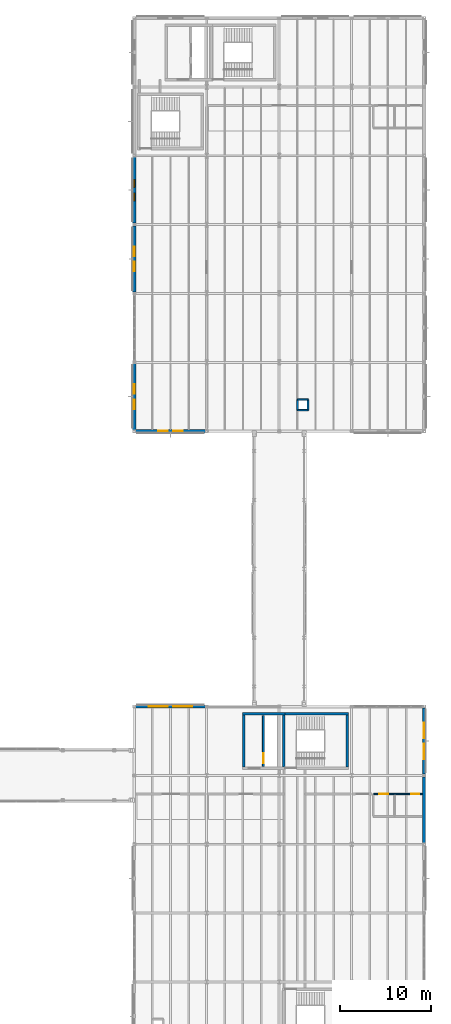
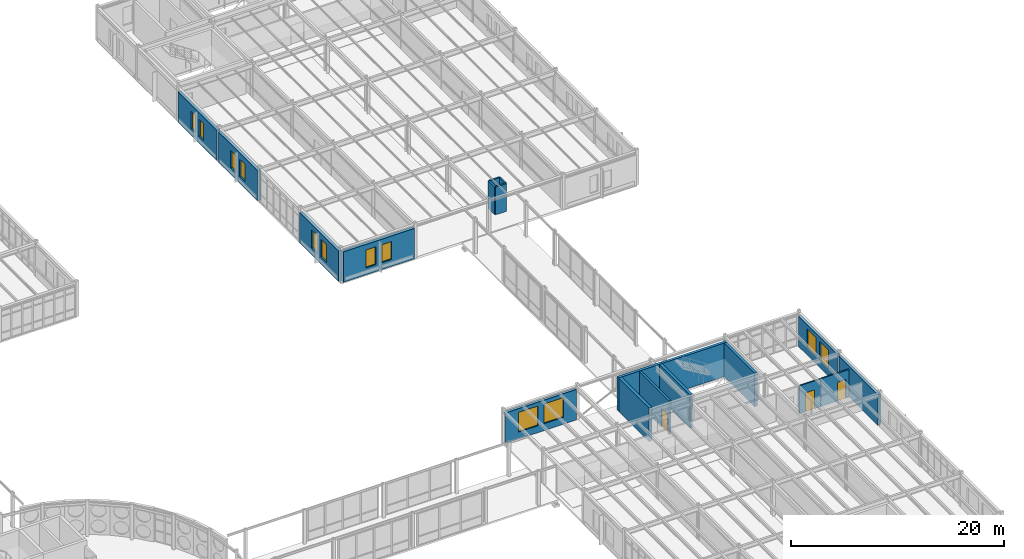
# One storey, part 142 of 165: 19 walls, 12 windows, 3 doors, 15 openings.
"""IFC4 building model written with IfcOpenShell, lengths in metres."""

from ifc_helpers import new_model, si_unit, direction, frame, frame_2d, origin, place, context, subcontext, project, spatial, rectangle, extrude, material, layer, layer_set, type_object, element, fill, save


model = new_model("IFC4")

# Units and contexts
model_context = context("Model", 3, precision=1e-05, world=origin(), true_north=direction((0.0, 1.0)))
body_context = subcontext(model_context, "Body", "Model", "MODEL_VIEW")
ifc_project = project(units=[si_unit("LENGTHUNIT", "METRE"), si_unit("AREAUNIT", "SQUARE_METRE"), si_unit("VOLUMEUNIT", "CUBIC_METRE"), si_unit("PLANEANGLEUNIT", "RADIAN"), si_unit("MASSUNIT", "GRAM", prefix="KILO")], contexts=[model_context])

# Site, building, storey
site_placement = place(None, origin())
site = spatial("IfcSite", under=ifc_project, at=site_placement, CompositionType="ELEMENT")
building_placement = place(site_placement, origin())
building = spatial("IfcBuilding", under=site, at=building_placement, Name="Montecoro Central Library", CompositionType="ELEMENT")
storey_placement = place(building_placement, frame((0.0, 0.0, 5.10009765625)))
storey = spatial("IfcBuildingStorey", under=building, at=storey_placement, Name="L01", CompositionType="ELEMENT", Elevation=5.10009765625)

# Wall, openings, windows
ifc_material_1 = material(Name="Roman travertine stone clad concrete C35/45", Category="masonry")
ifc_layer_1 = layer(ifc_material_1, 0.364990234375)
ifc_layer_set_1 = layer_set([ifc_layer_1], Name="Roman travertine stone clad concrete C35/45")
wall_type_1 = type_object("IfcWallType", Name="EW-STK-365", PredefinedType="SOLIDWALL", material=ifc_layer_set_1)
wall_1_placement = place(storey_placement, frame((141.153076171875, 73.39990234375, 0.0), z_axis=(0.0, 0.0, 1.0), x_axis=(1.0, 0.0, 0.0)))
wall_1 = element("IfcWall", 1, at=wall_1_placement, inside=storey, type_object=wall_type_1, Name="V5-L01-EW-S0", PredefinedType="SOLIDWALL", context=body_context, shape_type="SweptSolid", body=[
    extrude(rectangle(XDim=7.69384765625, YDim=0.364990234375, at=frame_2d((3.846923828125, 0.0))), origin(), (0.0, 0.0, 1.0), 3.47998046875),
])
opening_1_placement = place(wall_1_placement, frame((2.471923828125, 0.0, 0.800048828125)))
opening_1 = element("IfcOpeningElement", 2, at=opening_1_placement, cuts=wall_1, Name="Opening WN-03", PredefinedType="OPENING", context=body_context, shape_type="SweptSolid", body=[
    extrude(rectangle(XDim=1.050048828125, YDim=2.050048828125, at=frame_2d((0.52490234375, 1.02490234375))), frame((0.0, 0.1923828125, 0.0), z_axis=(0.0, -1.0, 0.0), x_axis=(1.0, 0.0, 0.0)), (0.0, 0.0, 1.0), 0.385009765625),
])
opening_2_placement = place(wall_1_placement, frame((4.172119140625, 0.0, 0.800048828125)))
opening_2 = element("IfcOpeningElement", 3, at=opening_2_placement, cuts=wall_1, Name="Opening WN-03", PredefinedType="OPENING", context=body_context, shape_type="SweptSolid", body=[
    extrude(rectangle(XDim=1.050048828125, YDim=2.050048828125, at=frame_2d((0.52490234375, 1.02490234375))), frame((0.0, 0.1923828125, 0.0), z_axis=(0.0, -1.0, 0.0), x_axis=(1.0, 0.0, 0.0)), (0.0, 0.0, 1.0), 0.385009765625),
])
ifc_material_2 = material(Name="UV-filtered triple glazing", Category="glass")
window_type_1 = type_object("IfcWindowType", Name="WN-STK-105", PartitioningType="SINGLE_PANEL", PredefinedType="WINDOW", material=ifc_material_2)
window_1_placement = place(opening_1_placement, origin())
window_1 = element("IfcWindow", 4, at=window_1_placement, inside=storey, type_object=window_type_1, Name="V5-L01-WN-S0-1", OverallHeight=2.050048828125, OverallWidth=1.050048828125, PartitioningType="SINGLE_PANEL", PredefinedType="WINDOW", context=body_context, shape_type="SweptSolid", body=[
    extrude(rectangle(XDim=1.050048828125, YDim=2.050048828125, at=frame_2d((0.52490234375, 1.02490234375))), frame((0.0, 0.030029296875, 0.0), z_axis=(0.0, -1.0, 0.0), x_axis=(1.0, 0.0, 0.0)), (0.0, 0.0, 1.0), 0.06005859375),
])
fill(opening_1, window_1)
window_2_placement = place(opening_2_placement, origin())
window_2 = element("IfcWindow", 5, at=window_2_placement, inside=storey, type_object=window_type_1, Name="V5-L01-WN-S0-2", OverallHeight=2.050048828125, OverallWidth=1.050048828125, PartitioningType="SINGLE_PANEL", PredefinedType="WINDOW", context=body_context, shape_type="SweptSolid", body=[
    extrude(rectangle(XDim=1.050048828125, YDim=2.050048828125, at=frame_2d((0.52490234375, 1.02490234375))), frame((0.0, 0.030029296875, 0.0), z_axis=(0.0, -1.0, 0.0), x_axis=(1.0, 0.0, 0.0)), (0.0, 0.0, 1.0), 0.06005859375),
])
fill(opening_2, window_2)

wall_2_placement = place(storey_placement, frame((141.0, 103.64697265625, 0.0), z_axis=(0.0, 0.0, 1.0), x_axis=(0.0, -1.0, 0.0)))
wall_2 = element("IfcWall", 6, at=wall_2_placement, inside=storey, type_object=wall_type_1, Name="V5-L01-EW-W3", PredefinedType="SOLIDWALL", context=body_context, shape_type="SweptSolid", body=[
    extrude(rectangle(XDim=7.2939453125, YDim=0.364990234375, at=frame_2d((3.64697265625, 0.0))), origin(), (0.0, 0.0, 1.0), 3.47998046875),
])
opening_3_placement = place(wall_2_placement, frame((2.471923828125, 0.0, 0.800048828125)))
opening_3 = element("IfcOpeningElement", 7, at=opening_3_placement, cuts=wall_2, Name="Opening WN-01", PredefinedType="OPENING", context=body_context, shape_type="SweptSolid", body=[
    extrude(rectangle(XDim=0.85009765625, YDim=1.949951171875, at=frame_2d((0.425048828125, 0.97509765625))), frame((0.0, 0.1923828125, 0.0), z_axis=(0.0, -1.0, 0.0), x_axis=(1.0, 0.0, 0.0)), (0.0, 0.0, 1.0), 0.385009765625),
])
opening_4_placement = place(wall_2_placement, frame((3.971923828125, 0.0, 0.800048828125)))
opening_4 = element("IfcOpeningElement", 8, at=opening_4_placement, cuts=wall_2, Name="Opening WN-01", PredefinedType="OPENING", context=body_context, shape_type="SweptSolid", body=[
    extrude(rectangle(XDim=0.85009765625, YDim=1.949951171875, at=frame_2d((0.425048828125, 0.97509765625))), frame((0.0, 0.1923828125, 0.0), z_axis=(0.0, -1.0, 0.0), x_axis=(1.0, 0.0, 0.0)), (0.0, 0.0, 1.0), 0.385009765625),
])
window_type_2 = type_object("IfcWindowType", Name="WN-STK-085", PartitioningType="SINGLE_PANEL", PredefinedType="WINDOW", material=ifc_material_2)
window_3_placement = place(opening_3_placement, origin())
window_3 = element("IfcWindow", 9, at=window_3_placement, inside=storey, type_object=window_type_2, Name="V5-L01-WN-W3-1", OverallHeight=1.949951171875, OverallWidth=0.85009765625, PartitioningType="SINGLE_PANEL", PredefinedType="WINDOW", context=body_context, shape_type="SweptSolid", body=[
    extrude(rectangle(XDim=0.85009765625, YDim=1.949951171875, at=frame_2d((0.425048828125, 0.97509765625))), frame((0.0, 0.030029296875, 0.0), z_axis=(0.0, -1.0, 0.0), x_axis=(1.0, 0.0, 0.0)), (0.0, 0.0, 1.0), 0.06005859375),
])
fill(opening_3, window_3)
window_4_placement = place(opening_4_placement, origin())
window_4 = element("IfcWindow", 10, at=window_4_placement, inside=storey, type_object=window_type_2, Name="V5-L01-WN-W3-2", OverallHeight=1.949951171875, OverallWidth=0.85009765625, PartitioningType="SINGLE_PANEL", PredefinedType="WINDOW", context=body_context, shape_type="SweptSolid", body=[
    extrude(rectangle(XDim=0.85009765625, YDim=1.949951171875, at=frame_2d((0.425048828125, 0.97509765625))), frame((0.0, 0.030029296875, 0.0), z_axis=(0.0, -1.0, 0.0), x_axis=(1.0, 0.0, 0.0)), (0.0, 0.0, 1.0), 0.06005859375),
])
fill(opening_4, window_4)

wall_3_placement = place(storey_placement, frame((141.0, 96.047119140625, 0.0), z_axis=(0.0, 0.0, 1.0), x_axis=(0.0, -1.0, 0.0)))
wall_3 = element("IfcWall", 11, at=wall_3_placement, inside=storey, type_object=wall_type_1, Name="V5-L01-EW-W2", PredefinedType="SOLIDWALL", context=body_context, shape_type="SweptSolid", body=[
    extrude(rectangle(XDim=7.294189453125, YDim=0.364990234375, at=frame_2d((3.64697265625, 0.0))), origin(), (0.0, 0.0, 1.0), 3.47998046875),
])
opening_5_placement = place(wall_3_placement, frame((2.302001953125, 0.0, 0.800048828125)))
opening_5 = element("IfcOpeningElement", 12, at=opening_5_placement, cuts=wall_3, Name="Opening WN-30", PredefinedType="OPENING", context=body_context, shape_type="SweptSolid", body=[
    extrude(rectangle(XDim=1.02001953125, YDim=1.97998046875, at=frame_2d((0.510009765625, 0.989990234375))), frame((0.0, 0.1923828125, 0.0), z_axis=(0.0, -1.0, 0.0), x_axis=(1.0, 0.0, 0.0)), (0.0, 0.0, 1.0), 0.385009765625),
])
opening_6_placement = place(wall_3_placement, frame((3.971923828125, 0.0, 0.800048828125)))
opening_6 = element("IfcOpeningElement", 13, at=opening_6_placement, cuts=wall_3, Name="Opening WN-30", PredefinedType="OPENING", context=body_context, shape_type="SweptSolid", body=[
    extrude(rectangle(XDim=1.02001953125, YDim=1.97998046875, at=frame_2d((0.510009765625, 0.989990234375))), frame((0.0, 0.1923828125, 0.0), z_axis=(0.0, -1.0, 0.0), x_axis=(1.0, 0.0, 0.0)), (0.0, 0.0, 1.0), 0.385009765625),
])
window_type_3 = type_object("IfcWindowType", Name="WN-STK-102", PartitioningType="SINGLE_PANEL", PredefinedType="WINDOW", material=ifc_material_2)
window_5_placement = place(opening_5_placement, origin())
window_5 = element("IfcWindow", 14, at=window_5_placement, inside=storey, type_object=window_type_3, Name="V5-L01-WN-W2-1", OverallHeight=1.97998046875, OverallWidth=1.02001953125, PartitioningType="SINGLE_PANEL", PredefinedType="WINDOW", context=body_context, shape_type="SweptSolid", body=[
    extrude(rectangle(XDim=1.02001953125, YDim=1.97998046875, at=frame_2d((0.510009765625, 0.989990234375))), frame((0.0, 0.030029296875, 0.0), z_axis=(0.0, -1.0, 0.0), x_axis=(1.0, 0.0, 0.0)), (0.0, 0.0, 1.0), 0.06005859375),
])
fill(opening_5, window_5)
window_6_placement = place(opening_6_placement, origin())
window_6 = element("IfcWindow", 15, at=window_6_placement, inside=storey, type_object=window_type_3, Name="V5-L01-WN-W2-2", OverallHeight=1.97998046875, OverallWidth=1.02001953125, PartitioningType="SINGLE_PANEL", PredefinedType="WINDOW", context=body_context, shape_type="SweptSolid", body=[
    extrude(rectangle(XDim=1.02001953125, YDim=1.97998046875, at=frame_2d((0.510009765625, 0.989990234375))), frame((0.0, 0.030029296875, 0.0), z_axis=(0.0, -1.0, 0.0), x_axis=(1.0, 0.0, 0.0)), (0.0, 0.0, 1.0), 0.06005859375),
])
fill(opening_6, window_6)

wall_4_placement = place(storey_placement, frame((141.0, 80.846923828125, 0.0), z_axis=(0.0, 0.0, 1.0), x_axis=(0.0, -1.0, 0.0)))
wall_4 = element("IfcWall", 16, at=wall_4_placement, inside=storey, type_object=wall_type_1, Name="V5-L01-EW-W0", PredefinedType="SOLIDWALL", context=body_context, shape_type="SweptSolid", body=[
    extrude(rectangle(XDim=7.2939453125, YDim=0.364990234375, at=frame_2d((3.64697265625, 0.0))), origin(), (0.0, 0.0, 1.0), 3.47998046875),
])
opening_7_placement = place(wall_4_placement, frame((2.27197265625, 0.0, 0.800048828125)))
opening_7 = element("IfcOpeningElement", 17, at=opening_7_placement, cuts=wall_4, Name="Opening WN-03", PredefinedType="OPENING", context=body_context, shape_type="SweptSolid", body=[
    extrude(rectangle(XDim=1.050048828125, YDim=2.050048828125, at=frame_2d((0.52490234375, 1.02490234375))), frame((0.0, 0.1923828125, 0.0), z_axis=(0.0, -1.0, 0.0), x_axis=(1.0, 0.0, 0.0)), (0.0, 0.0, 1.0), 0.385009765625),
])
opening_8_placement = place(wall_4_placement, frame((3.971923828125, 0.0, 0.800048828125)))
opening_8 = element("IfcOpeningElement", 18, at=opening_8_placement, cuts=wall_4, Name="Opening WN-03", PredefinedType="OPENING", context=body_context, shape_type="SweptSolid", body=[
    extrude(rectangle(XDim=1.050048828125, YDim=2.050048828125, at=frame_2d((0.52490234375, 1.02490234375))), frame((0.0, 0.1923828125, 0.0), z_axis=(0.0, -1.0, 0.0), x_axis=(1.0, 0.0, 0.0)), (0.0, 0.0, 1.0), 0.385009765625),
])
window_7_placement = place(opening_7_placement, origin())
window_7 = element("IfcWindow", 19, at=window_7_placement, inside=storey, type_object=window_type_1, Name="V5-L01-WN-W0-1", OverallHeight=2.050048828125, OverallWidth=1.050048828125, PartitioningType="SINGLE_PANEL", PredefinedType="WINDOW", context=body_context, shape_type="SweptSolid", body=[
    extrude(rectangle(XDim=1.050048828125, YDim=2.050048828125, at=frame_2d((0.52490234375, 1.02490234375))), frame((0.0, 0.030029296875, 0.0), z_axis=(0.0, -1.0, 0.0), x_axis=(1.0, 0.0, 0.0)), (0.0, 0.0, 1.0), 0.06005859375),
])
fill(opening_7, window_7)
window_8_placement = place(opening_8_placement, origin())
window_8 = element("IfcWindow", 20, at=window_8_placement, inside=storey, type_object=window_type_1, Name="V5-L01-WN-W0-2", OverallHeight=2.050048828125, OverallWidth=1.050048828125, PartitioningType="SINGLE_PANEL", PredefinedType="WINDOW", context=body_context, shape_type="SweptSolid", body=[
    extrude(rectangle(XDim=1.050048828125, YDim=2.050048828125, at=frame_2d((0.52490234375, 1.02490234375))), frame((0.0, 0.030029296875, 0.0), z_axis=(0.0, -1.0, 0.0), x_axis=(1.0, 0.0, 0.0)), (0.0, 0.0, 1.0), 0.06005859375),
])
fill(opening_8, window_8)

# Wall
ifc_layer_2 = layer(ifc_material_1, 0.31005859375)
ifc_layer_set_2 = layer_set([ifc_layer_2], Name="Roman travertine stone clad concrete C35/45")
wall_type_2 = type_object("IfcWallType", Name="EW-TRV-310", PredefinedType="SOLIDWALL", material=ifc_layer_set_2)
wall_5_placement = place(storey_placement, frame((173.0, 27.952880859375, 0.0), z_axis=(0.0, 0.0, 1.0), x_axis=(0.0, 1.0, 0.0)))
element("IfcWall", 21, at=wall_5_placement, inside=storey, type_object=wall_type_2, Name="V6-L01-EW-E3", PredefinedType="SOLIDWALL", context=body_context, shape_type="SweptSolid", body=[
    extrude(rectangle(XDim=7.294189453125, YDim=0.31005859375, at=frame_2d((3.64697265625, 0.0))), origin(), (0.0, 0.0, 1.0), 3.47998046875),
])

# Wall, openings, windows
wall_6_placement = place(storey_placement, frame((173.0, 35.552978515625, 0.0), z_axis=(0.0, 0.0, 1.0), x_axis=(0.0, 1.0, 0.0)))
wall_6 = element("IfcWall", 22, at=wall_6_placement, inside=storey, type_object=wall_type_2, Name="V6-L01-EW-E4", PredefinedType="SOLIDWALL", context=body_context, shape_type="SweptSolid", body=[
    extrude(rectangle(XDim=7.2939453125, YDim=0.31005859375, at=frame_2d((3.64697265625, 0.0))), origin(), (0.0, 0.0, 1.0), 3.47998046875),
])
opening_9_placement = place(wall_6_placement, frame((1.6220703125, 0.0, 0.800048828125)))
opening_9 = element("IfcOpeningElement", 23, at=opening_9_placement, cuts=wall_6, Name="Opening WN-17", PredefinedType="OPENING", context=body_context, shape_type="SweptSolid", body=[
    extrude(rectangle(XDim=1.699951171875, YDim=2.199951171875, at=frame_2d((0.85009765625, 1.10009765625))), frame((0.0, 0.1650390625, 0.0), z_axis=(0.0, -1.0, 0.0), x_axis=(1.0, 0.0, 0.0)), (0.0, 0.0, 1.0), 0.330078125),
])
opening_10_placement = place(wall_6_placement, frame((3.971923828125, 0.0, 0.800048828125)))
opening_10 = element("IfcOpeningElement", 24, at=opening_10_placement, cuts=wall_6, Name="Opening WN-17", PredefinedType="OPENING", context=body_context, shape_type="SweptSolid", body=[
    extrude(rectangle(XDim=1.699951171875, YDim=2.199951171875, at=frame_2d((0.85009765625, 1.10009765625))), frame((0.0, 0.1650390625, 0.0), z_axis=(0.0, -1.0, 0.0), x_axis=(1.0, 0.0, 0.0)), (0.0, 0.0, 1.0), 0.330078125),
])
ifc_material_3 = material(Name="Laminated low-E double glazing", Category="glass")
window_type_4 = type_object("IfcWindowType", Name="WN-COM-170", PartitioningType="SINGLE_PANEL", PredefinedType="WINDOW", material=ifc_material_3)
window_9_placement = place(opening_9_placement, origin())
window_9 = element("IfcWindow", 25, at=window_9_placement, inside=storey, type_object=window_type_4, Name="V6-L01-WN-E4-1", OverallHeight=2.199951171875, OverallWidth=1.699951171875, PartitioningType="SINGLE_PANEL", PredefinedType="WINDOW", context=body_context, shape_type="SweptSolid", body=[
    extrude(rectangle(XDim=1.699951171875, YDim=2.199951171875, at=frame_2d((0.85009765625, 1.10009765625))), frame((0.0, 0.030029296875, 0.0), z_axis=(0.0, -1.0, 0.0), x_axis=(1.0, 0.0, 0.0)), (0.0, 0.0, 1.0), 0.06005859375),
])
fill(opening_9, window_9)
window_10_placement = place(opening_10_placement, origin())
window_10 = element("IfcWindow", 26, at=window_10_placement, inside=storey, type_object=window_type_4, Name="V6-L01-WN-E4-2", OverallHeight=2.199951171875, OverallWidth=1.699951171875, PartitioningType="SINGLE_PANEL", PredefinedType="WINDOW", context=body_context, shape_type="SweptSolid", body=[
    extrude(rectangle(XDim=1.699951171875, YDim=2.199951171875, at=frame_2d((0.85009765625, 1.10009765625))), frame((0.0, 0.030029296875, 0.0), z_axis=(0.0, -1.0, 0.0), x_axis=(1.0, 0.0, 0.0)), (0.0, 0.0, 1.0), 0.06005859375),
])
fill(opening_10, window_10)

wall_7_placement = place(storey_placement, frame((148.846923828125, 43.0, 0.0), z_axis=(0.0, 0.0, 1.0), x_axis=(-1.0, 0.0, 0.0)))
wall_7 = element("IfcWall", 27, at=wall_7_placement, inside=storey, type_object=wall_type_2, Name="V6-L01-EW-N0", PredefinedType="SOLIDWALL", context=body_context, shape_type="SweptSolid", body=[
    extrude(rectangle(XDim=7.69384765625, YDim=0.31005859375, at=frame_2d((3.846923828125, 0.0))), origin(), (0.0, 0.0, 1.0), 3.47998046875),
])
opening_11_placement = place(wall_7_placement, frame((1.422119140625, 0.0, 0.800048828125)))
opening_11 = element("IfcOpeningElement", 28, at=opening_11_placement, cuts=wall_7, Name="Opening WN-19", PredefinedType="OPENING", context=body_context, shape_type="SweptSolid", body=[
    extrude(rectangle(XDim=2.10009765625, YDim=2.25, at=frame_2d((1.050048828125, 1.125))), frame((0.0, 0.1650390625, 0.0), z_axis=(0.0, -1.0, 0.0), x_axis=(1.0, 0.0, 0.0)), (0.0, 0.0, 1.0), 0.330078125),
])
opening_12_placement = place(wall_7_placement, frame((4.172119140625, 0.0, 0.800048828125)))
opening_12 = element("IfcOpeningElement", 29, at=opening_12_placement, cuts=wall_7, Name="Opening WN-19", PredefinedType="OPENING", context=body_context, shape_type="SweptSolid", body=[
    extrude(rectangle(XDim=2.10009765625, YDim=2.25, at=frame_2d((1.050048828125, 1.125))), frame((0.0, 0.1650390625, 0.0), z_axis=(0.0, -1.0, 0.0), x_axis=(1.0, 0.0, 0.0)), (0.0, 0.0, 1.0), 0.330078125),
])
window_type_5 = type_object("IfcWindowType", Name="WN-COM-210", PartitioningType="SINGLE_PANEL", PredefinedType="WINDOW", material=ifc_material_3)
window_11_placement = place(opening_11_placement, origin())
window_11 = element("IfcWindow", 30, at=window_11_placement, inside=storey, type_object=window_type_5, Name="V6-L01-WN-N0-1", OverallHeight=2.25, OverallWidth=2.10009765625, PartitioningType="SINGLE_PANEL", PredefinedType="WINDOW", context=body_context, shape_type="SweptSolid", body=[
    extrude(rectangle(XDim=2.10009765625, YDim=2.25, at=frame_2d((1.050048828125, 1.125))), frame((0.0, 0.030029296875, 0.0), z_axis=(0.0, -1.0, 0.0), x_axis=(1.0, 0.0, 0.0)), (0.0, 0.0, 1.0), 0.06005859375),
])
fill(opening_11, window_11)
window_12_placement = place(opening_12_placement, origin())
window_12 = element("IfcWindow", 31, at=window_12_placement, inside=storey, type_object=window_type_5, Name="V6-L01-WN-N0-2", OverallHeight=2.25, OverallWidth=2.10009765625, PartitioningType="SINGLE_PANEL", PredefinedType="WINDOW", context=body_context, shape_type="SweptSolid", body=[
    extrude(rectangle(XDim=2.10009765625, YDim=2.25, at=frame_2d((1.050048828125, 1.125))), frame((0.0, 0.030029296875, 0.0), z_axis=(0.0, -1.0, 0.0), x_axis=(1.0, 0.0, 0.0)), (0.0, 0.0, 1.0), 0.06005859375),
])
fill(opening_12, window_12)

# Walls
ifc_material_4 = material(Name="Gypsum fire-rated partition")
ifc_layer_3 = layer(ifc_material_4, 0.179931640625)
ifc_layer_set_3 = layer_set([ifc_layer_3], Name="Gypsum fire-rated partition")
wall_type_3 = type_object("IfcWallType", Name="IW-COR-180", PredefinedType="PARTITIONING", material=ifc_layer_set_3)
for number, where, z_axis, x_axis, name in (
    (32, (159.02001953125, 75.719970703125, 0.0), (0.0, 0.0, 1.0), (1.0, 0.0, 0.0), "RSR-V5-L01-SL3-S"),
    (33, (160.179931640625, 76.8798828125, 0.0), (0.0, 0.0, 1.0), (-1.0, 0.0, 0.0), "RSR-V5-L01-SL3-N"),
    (34, (159.02001953125, 76.8798828125, 0.0), (0.0, 0.0, 1.0), (0.0, -1.0, 0.0), "RSR-V5-L01-SL3-W"),
    (35, (160.179931640625, 75.719970703125, 0.0), (0.0, 0.0, 1.0), (0.0, 1.0, 0.0), "RSR-V5-L01-SL3-E"),
):
    element("IfcWall", number, at=place(storey_placement, frame(where, z_axis=z_axis, x_axis=x_axis)), inside=storey, type_object=wall_type_3, Name=name, PredefinedType="PARTITIONING", context=body_context, shape_type="SweptSolid", body=[
        extrude(rectangle(XDim=1.159912109375, YDim=0.179931640625, at=frame_2d((0.580078125, 0.0))), origin(), (0.0, 0.0, 1.0), 3.179931640625),
    ])

# Wall, opening, door
ifc_material_5 = material(Name="Concrete C32/40", Category="concrete")
ifc_layer_4 = layer(ifc_material_5, 0.219970703125)
ifc_layer_set_4 = layer_set([ifc_layer_4], Name="Concrete C32/40")
wall_type_4 = type_object("IfcWallType", Name="IW-FFL-220", PredefinedType="SOLIDWALL", material=ifc_layer_set_4)
wall_8_placement = place(storey_placement, frame((155.25, 36.39990234375, 0.0), z_axis=(0.0, 0.0, 1.0), x_axis=(0.0, 1.0, 0.0)))
wall_8 = element("IfcWall", 36, at=wall_8_placement, inside=storey, type_object=wall_type_4, Name="C7-L01-WLSH", PredefinedType="SOLIDWALL", context=body_context, shape_type="SweptSolid", body=[
    extrude(rectangle(XDim=5.60009765625, YDim=0.219970703125, at=frame_2d((2.800048828125, 0.0))), origin(), (0.0, 0.0, 1.0), 3.844970703125),
])
opening_13_placement = place(wall_8_placement, frame((0.35009765625, 0.0, 0.0)))
opening_13 = element("IfcOpeningElement", 37, at=opening_13_placement, cuts=wall_8, Name="Opening LD-01", PredefinedType="OPENING", context=body_context, shape_type="SweptSolid", body=[
    extrude(rectangle(XDim=1.10009765625, YDim=2.14990234375, at=frame_2d((0.550048828125, 1.074951171875))), frame((0.0, 0.119873046875, 0.0), z_axis=(0.0, -1.0, 0.0), x_axis=(1.0, 0.0, 0.0)), (0.0, 0.0, 1.0), 0.239990234375),
])
ifc_material_6 = material(Name="Solid oak and fire-rated steel door", Category="steel")
door_type_1 = type_object("IfcDoorType", Name="LD-LIFT-110", OperationType="NOTDEFINED", PredefinedType="DOOR", material=ifc_material_6)
door_1_placement = place(opening_13_placement, origin())
door_1 = element("IfcDoor", 38, at=door_1_placement, inside=storey, type_object=door_type_1, Name="C7-L01-LD-PL-06", OperationType="SLIDING_TO_LEFT", OverallHeight=2.14990234375, OverallWidth=1.10009765625, PredefinedType="DOOR", context=body_context, shape_type="SweptSolid", body=[
    extrude(rectangle(XDim=1.10009765625, YDim=2.14990234375, at=frame_2d((0.550048828125, 1.074951171875))), frame((0.0, 0.02490234375, 0.0), z_axis=(0.0, -1.0, 0.0), x_axis=(1.0, 0.0, 0.0)), (0.0, 0.0, 1.0), 0.050048828125),
])
fill(opening_13, door_1)

# Walls
ifc_material_7 = material(Name="Concrete C35/45", Category="concrete")
ifc_layer_5 = layer(ifc_material_7, 0.300048828125)
ifc_layer_set_5 = layer_set([ifc_layer_5], Name="Concrete C35/45")
wall_type_5 = type_object("IfcWallType", Name="IW-SHR-300", PredefinedType="SHEAR", material=ifc_layer_set_5)
wall_9_placement = place(storey_placement, frame((157.64990234375, 42.199951171875, 0.0), z_axis=(0.0, 0.0, 1.0), x_axis=(-1.0, 0.0, 0.0)))
element("IfcWall", 39, at=wall_9_placement, inside=storey, type_object=wall_type_5, Name="C7-L01-LWN", PredefinedType="SHEAR", context=body_context, shape_type="SweptSolid", body=[
    extrude(rectangle(XDim=4.699951171875, YDim=0.300048828125, at=frame_2d((2.35009765625, 0.0))), origin(), (0.0, 0.0, 1.0), 3.844970703125),
])
wall_10_placement = place(storey_placement, frame((153.10009765625, 42.050048828125, 0.0), z_axis=(0.0, 0.0, 1.0), x_axis=(0.0, -1.0, 0.0)))
element("IfcWall", 40, at=wall_10_placement, inside=storey, type_object=wall_type_5, Name="C7-L01-LWW", PredefinedType="SHEAR", context=body_context, shape_type="SweptSolid", body=[
    extrude(rectangle(XDim=5.699951171875, YDim=0.300048828125, at=frame_2d((2.85009765625, 0.0))), origin(), (0.0, 0.0, 1.0), 3.844970703125),
])
wall_11_placement = place(storey_placement, frame((157.35009765625, 42.199951171875, 0.0), z_axis=(0.0, 0.0, 1.0), x_axis=(1.0, 0.0, 0.0)))
element("IfcWall", 41, at=wall_11_placement, inside=storey, type_object=wall_type_5, Name="C7-L01-WN", PredefinedType="SHEAR", context=body_context, shape_type="SweptSolid", body=[
    extrude(rectangle(XDim=7.2998046875, YDim=0.300048828125, at=frame_2d((3.64990234375, 0.0))), origin(), (0.0, 0.0, 1.0), 3.844970703125),
])
for number, where, z_axis, x_axis, name in (
    (42, (157.5, 36.35009765625, 0.0), (0.0, 0.0, 1.0), (0.0, 1.0, 0.0), "C7-L01-WW"),
    (43, (164.5, 36.35009765625, 0.0), (0.0, 0.0, 1.0), (0.0, 1.0, 0.0), "C7-L01-WE"),
):
    element("IfcWall", number, at=place(storey_placement, frame(where, z_axis=z_axis, x_axis=x_axis)), inside=storey, type_object=wall_type_5, Name=name, PredefinedType="SHEAR", context=body_context, shape_type="SweptSolid", body=[
        extrude(rectangle(XDim=5.699951171875, YDim=0.300048828125, at=frame_2d((2.85009765625, 0.0))), origin(), (0.0, 0.0, 1.0), 3.844970703125),
    ])

# Wall, opening, door
ifc_material_8 = material(Name="Moisture-resistant ceramic-tiled partition")
ifc_layer_6 = layer(ifc_material_8, 0.14990234375)
ifc_layer_set_6 = layer_set([ifc_layer_6], Name="Moisture-resistant ceramic-tiled partition")
wall_type_6 = type_object("IfcWallType", Name="IW-WET-150", PredefinedType="PARTITIONING", material=ifc_layer_set_6)
wall_12_placement = place(storey_placement, frame((167.43994140625, 33.35009765625, 0.0), z_axis=(0.0, 0.0, 1.0), x_axis=(1.0, 0.0, 0.0)))
wall_12 = element("IfcWall", 44, at=wall_12_placement, inside=storey, type_object=wall_type_6, Name="WC-V6-L01-WFA", PredefinedType="PARTITIONING", context=body_context, shape_type="SweptSolid", body=[
    extrude(rectangle(XDim=2.25, YDim=0.14990234375, at=frame_2d((1.125, 0.0))), origin(), (0.0, 0.0, 1.0), 3.179931640625),
])
opening_14_placement = place(wall_12_placement, frame((0.625, 0.0, 0.0)))
opening_14 = element("IfcOpeningElement", 45, at=opening_14_placement, cuts=wall_12, Name="Opening ID-15", PredefinedType="OPENING", context=body_context, shape_type="SweptSolid", body=[
    extrude(rectangle(XDim=1.0, YDim=2.14990234375, at=frame_2d((0.5, 1.074951171875))), frame((0.0, 0.0849609375, 0.0), z_axis=(0.0, -1.0, 0.0), x_axis=(1.0, 0.0, 0.0)), (0.0, 0.0, 1.0), 0.169921875),
])
door_type_2 = type_object("IfcDoorType", Name="ID-AWC-100", OperationType="NOTDEFINED", PredefinedType="DOOR", material=ifc_material_6)
door_2_placement = place(opening_14_placement, origin())
door_2 = element("IfcDoor", 46, at=door_2_placement, inside=storey, type_object=door_type_2, Name="DR-SP-V6-L01-AWC", OperationType="SINGLE_SWING_RIGHT", OverallHeight=2.14990234375, OverallWidth=1.0, PredefinedType="DOOR", context=body_context, shape_type="SweptSolid", body=[
    extrude(rectangle(XDim=1.0, YDim=2.14990234375, at=frame_2d((0.5, 1.074951171875))), frame((0.0, 0.02490234375, 0.0), z_axis=(0.0, -1.0, 0.0), x_axis=(1.0, 0.0, 0.0)), (0.0, 0.0, 1.0), 0.050048828125),
])
fill(opening_14, door_2)

wall_13_placement = place(storey_placement, frame((169.77001953125, 33.35009765625, 0.0), z_axis=(0.0, 0.0, 1.0), x_axis=(1.0, 0.0, 0.0)))
wall_13 = element("IfcWall", 47, at=wall_13_placement, inside=storey, type_object=wall_type_6, Name="WC-V6-L01-WFP", PredefinedType="PARTITIONING", context=body_context, shape_type="SweptSolid", body=[
    extrude(rectangle(XDim=3.030029296875, YDim=0.14990234375, at=frame_2d((1.51513671875, 0.0))), origin(), (0.0, 0.0, 1.0), 3.179931640625),
])
opening_15_placement = place(wall_13_placement, frame((1.780029296875, 0.0, 0.0)))
opening_15 = element("IfcOpeningElement", 48, at=opening_15_placement, cuts=wall_13, Name="Opening ID-16", PredefinedType="OPENING", context=body_context, shape_type="SweptSolid", body=[
    extrude(rectangle(XDim=0.89990234375, YDim=2.14990234375, at=frame_2d((0.449951171875, 1.074951171875))), frame((0.0, 0.0849609375, 0.0), z_axis=(0.0, -1.0, 0.0), x_axis=(1.0, 0.0, 0.0)), (0.0, 0.0, 1.0), 0.169921875),
])
door_type_3 = type_object("IfcDoorType", Name="ID-WC-090", OperationType="NOTDEFINED", PredefinedType="DOOR", material=ifc_material_6)
door_3_placement = place(opening_15_placement, origin())
door_3 = element("IfcDoor", 49, at=door_3_placement, inside=storey, type_object=door_type_3, Name="DR-SP-V6-L01-PWC", OperationType="SINGLE_SWING_LEFT", OverallHeight=2.14990234375, OverallWidth=0.89990234375, PredefinedType="DOOR", context=body_context, shape_type="SweptSolid", body=[
    extrude(rectangle(XDim=0.89990234375, YDim=2.14990234375, at=frame_2d((0.449951171875, 1.074951171875))), frame((0.0, 0.02490234375, 0.0), z_axis=(0.0, -1.0, 0.0), x_axis=(1.0, 0.0, 0.0)), (0.0, 0.0, 1.0), 0.050048828125),
])
fill(opening_15, door_3)

save(model, "model.ifc")
